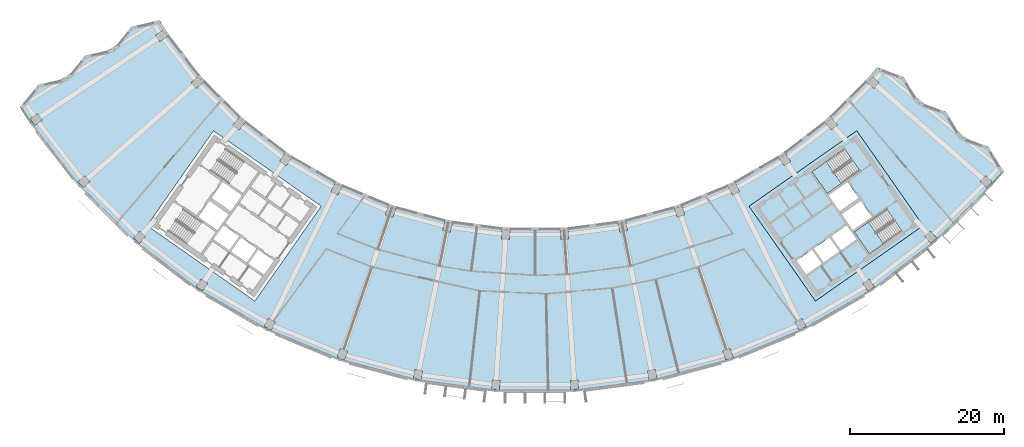
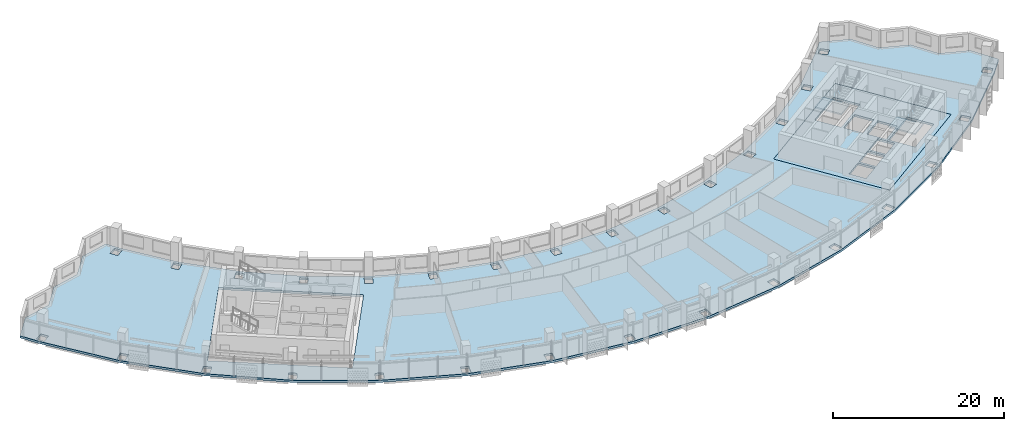
# One storey, part 2 of 27: 4 slabs, 2 elements without a shape of their own.
"""IFC4 building model written with IfcOpenShell, lengths in metres."""

from ifc_helpers import new_model, si_unit, direction, frame, origin, place, context, subcontext, project, spatial, polyline, outline, extrude, material, layer, layer_set, type_object, element, aggregate, save


model = new_model("IFC4")

# Units and contexts
model_context = context("Model", 3, precision=1e-05, world=origin(), true_north=direction((0.0, 1.0)))
body_context = subcontext(model_context, "Body", "Model", "MODEL_VIEW")
ifc_project = project(units=[si_unit("LENGTHUNIT", "METRE"), si_unit("AREAUNIT", "SQUARE_METRE"), si_unit("VOLUMEUNIT", "CUBIC_METRE"), si_unit("PLANEANGLEUNIT", "RADIAN"), si_unit("MASSUNIT", "GRAM", prefix="KILO")], contexts=[model_context])

# Site, building, storey
site_placement = place(None, origin())
site = spatial("IfcSite", under=ifc_project, at=site_placement, CompositionType="ELEMENT")
building_placement = place(site_placement, origin())
building = spatial("IfcBuilding", under=site, at=building_placement, Name="Qamariyya Broadcast Tower", CompositionType="ELEMENT")
storey_placement = place(building_placement, frame((0.0, 0.0, 222.699951171875)))
storey = spatial("IfcBuildingStorey", under=building, at=storey_placement, Name="L53", CompositionType="ELEMENT", Elevation=222.699951171875)

# Slabs
ifc_material_1 = material(Name="Concrete C40/50", Category="concrete")
ifc_layer_1 = layer(ifc_material_1, 0.300048828125)
ifc_layer_set_1 = layer_set([ifc_layer_1], Name="Core floor slab 300 mm Concrete C40/50")
slab_type_1 = type_object("IfcSlabType", Name="Core floor slab 300 mm Concrete C40/50", PredefinedType="FLOOR", material=ifc_layer_set_1)
slab_1_placement = place(storey_placement, frame((0.0, 0.0, -0.300048828125)))
element("IfcSlab", 1, at=slab_1_placement, inside=storey, type_object=slab_type_1, Name="k-E-L53-slab", PredefinedType="FLOOR", context=body_context, shape_type="SweptSolid", body=[
    extrude(outline(polyline([(36.32373046875, -66.734375), (50.286376953125, -56.95751953125), (41.6826171875, -44.67041015625), (27.719970703125, -54.447021484375), (36.32373046875, -66.734375)]), holes=[polyline([(33.87353515625, -61.49169921875), (35.88037109375, -60.08642578125), (37.142333984375, -61.888427734375), (35.13525390625, -63.293701171875), (33.87353515625, -61.49169921875)]), polyline([(36.126220703125, -59.914306640625), (38.133056640625, -58.509033203125), (39.394775390625, -60.311279296875), (37.387939453125, -61.716552734375), (36.126220703125, -59.914306640625)]), polyline([(38.378662109375, -58.3369140625), (40.3857421875, -56.931640625), (41.6474609375, -58.73388671875), (39.640625, -60.13916015625), (38.378662109375, -58.3369140625)]), polyline([(39.742431640625, -55.489990234375), (42.199951171875, -53.769287109375), (43.6337890625, -55.817138671875), (41.17626953125, -57.537841796875), (39.742431640625, -55.489990234375)]), polyline([(39.45556640625, -55.080322265625), (41.9130859375, -53.359619140625), (40.47900390625, -51.311767578125), (38.021728515625, -53.032470703125), (39.45556640625, -55.080322265625)]), polyline([(40.082275390625, -47.01171875), (35.870849609375, -49.960693359375), (37.849609375, -52.78662109375), (42.06103515625, -49.837890625), (40.082275390625, -47.01171875)]), polyline([(45.559814453125, -54.834716796875), (41.348388671875, -57.783447265625), (43.3271484375, -60.609619140625), (47.538818359375, -57.66064453125), (45.559814453125, -54.834716796875)])]), origin(), (0.0, 0.0, 1.0), 0.300048828125),
])
ifc_layer_2 = layer(ifc_material_1, 0.300048828125)
ifc_layer_set_2 = layer_set([ifc_layer_2], Name="Post-tensioned floor slab 300 C40/50")
slab_type_2 = type_object("IfcSlabType", Name="Post-tensioned floor slab 300 C40/50", PredefinedType="FLOOR", material=ifc_layer_set_2)
slab_2_placement = place(storey_placement, frame((0.0, 0.0, -0.300048828125)))
element("IfcSlab", 2, at=slab_2_placement, inside=storey, type_object=slab_type_2, Name="Floor slab S4 L53", PredefinedType="FLOOR", context=body_context, shape_type="SweptSolid", body=[
    extrude(outline(polyline([(-64.37158203125, -38.68212890625), (-66.758544921875, -41.582763671875), (-65.39501953125, -43.695556640625), (-59.132080078125, -51.857666015625), (-51.857666015625, -59.132080078125), (-43.695556640625, -65.39501953125), (-34.785888671875, -70.5390625), (-25.28125, -74.47607421875), (-15.34375, -77.138671875), (-5.14404296875, -78.481689453125), (5.14404296875, -78.481689453125), (15.34375, -77.138671875), (25.28125, -74.47607421875), (34.785888671875, -70.5390625), (43.695556640625, -65.39501953125), (51.857666015625, -59.132080078125), (59.132080078125, -51.857666015625), (60.759765625, -49.940673828125), (58.771728515625, -46.75341796875), (55.274658203125, -45.432373046875), (53.2861328125, -42.24462890625), (49.789794921875, -40.924072265625), (47.800048828125, -37.7353515625), (44.3046875, -36.415771484375), (43.117919921875, -37.8134765625), (37.8134765625, -43.117919921875), (31.862060546875, -47.684814453125), (25.365234375, -51.435546875), (18.4345703125, -54.306396484375), (11.1884765625, -56.248046875), (3.7509765625, -57.227294921875), (-3.7509765625, -57.227294921875), (-11.1884765625, -56.248046875), (-18.4345703125, -54.306396484375), (-25.365234375, -51.435546875), (-31.862060546875, -47.684814453125), (-37.8134765625, -43.117919921875), (-43.117919921875, -37.8134765625), (-47.684814453125, -31.862060546875), (-48.678955078125, -30.3212890625), (-52.316650390625, -31.17333984375), (-54.70556640625, -34.0751953125), (-58.34423828125, -34.927978515625), (-60.73193359375, -37.828857421875), (-64.37158203125, -38.68212890625)]), holes=[polyline([(-5.62158203125, -78.12451171875), (-5.54638671875, -76.97705078125), (-4.548583984375, -77.04248046875), (-4.623779296875, -78.18994140625), (-5.62158203125, -78.12451171875)]), polyline([(-15.770751953125, -76.722412109375), (-15.54638671875, -75.594482421875), (-14.565673828125, -75.78955078125), (-14.7900390625, -76.91748046875), (-15.770751953125, -76.722412109375)]), polyline([(-25.650146484375, -74.007568359375), (-25.280517578125, -72.918701171875), (-24.333740234375, -73.239990234375), (-24.703369140625, -74.3291015625), (-25.650146484375, -74.007568359375)]), polyline([(-35.090576171875, -70.0263671875), (-34.58203125, -68.9951171875), (-33.685302734375, -69.437255859375), (-34.19384765625, -70.46875), (-35.090576171875, -70.0263671875)]), polyline([(-43.9306640625, -64.84716796875), (-43.291748046875, -63.890869140625), (-42.46044921875, -64.446533203125), (-43.099365234375, -65.402587890625), (-43.9306640625, -64.84716796875)]), polyline([(-52.019287109375, -58.55810546875), (-51.260986328125, -57.693603515625), (-50.509033203125, -58.35302734375), (-51.267333984375, -59.217529296875), (-52.019287109375, -58.55810546875)]), polyline([(-11.966552734375, -57.59716796875), (-11.7421875, -56.46923828125), (-10.761474609375, -56.664306640625), (-10.98583984375, -57.792236328125), (-11.966552734375, -57.59716796875)]), polyline([(-50.286376953125, -56.95751953125), (-41.6826171875, -44.67041015625), (-27.719970703125, -54.447021484375), (-36.32373046875, -66.734375), (-50.286376953125, -56.95751953125)]), polyline([(-19.382080078125, -55.54248046875), (-19.012451171875, -54.453369140625), (-18.065673828125, -54.77490234375), (-18.435302734375, -55.86376953125), (-19.382080078125, -55.54248046875)]), polyline([(-26.466064453125, -52.537353515625), (-25.95751953125, -51.506103515625), (-25.060546875, -51.9482421875), (-25.569091796875, -52.979736328125), (-26.466064453125, -52.537353515625)]), polyline([(-59.217529296875, -51.267333984375), (-58.35302734375, -50.509033203125), (-57.693603515625, -51.260986328125), (-58.55810546875, -52.019287109375), (-59.217529296875, -51.267333984375)]), polyline([(-33.09716796875, -48.63330078125), (-32.458251953125, -47.67724609375), (-31.626708984375, -48.23291015625), (-32.265625, -49.18896484375), (-33.09716796875, -48.63330078125)]), polyline([(-39.161865234375, -43.897216796875), (-38.40380859375, -43.03271484375), (-37.65185546875, -43.692138671875), (-38.41015625, -44.556640625), (-39.161865234375, -43.897216796875)]), polyline([(-65.402587890625, -43.099365234375), (-64.446533203125, -42.46044921875), (-63.890869140625, -43.291748046875), (-64.84716796875, -43.9306640625), (-65.402587890625, -43.099365234375)]), polyline([(-44.556640625, -38.41015625), (-43.692138671875, -37.65185546875), (-43.03271484375, -38.40380859375), (-43.897216796875, -39.161865234375), (-44.556640625, -38.41015625)]), polyline([(-49.18896484375, -32.265625), (-48.23291015625, -31.626708984375), (-47.67724609375, -32.458251953125), (-48.63330078125, -33.09716796875), (-49.18896484375, -32.265625)]), polyline([(4.623779296875, -78.18994140625), (4.548583984375, -77.04248046875), (5.54638671875, -76.97705078125), (5.62158203125, -78.12451171875), (4.623779296875, -78.18994140625)]), polyline([(14.7900390625, -76.91748046875), (14.565673828125, -75.78955078125), (15.54638671875, -75.594482421875), (15.770751953125, -76.722412109375), (14.7900390625, -76.91748046875)]), polyline([(24.703369140625, -74.3291015625), (24.333740234375, -73.239990234375), (25.280517578125, -72.918701171875), (25.650146484375, -74.007568359375), (24.703369140625, -74.3291015625)]), polyline([(34.19384765625, -70.46875), (33.685302734375, -69.437255859375), (34.58203125, -68.9951171875), (35.090576171875, -70.0263671875), (34.19384765625, -70.46875)]), polyline([(43.099365234375, -65.402587890625), (42.46044921875, -64.446533203125), (43.291748046875, -63.890869140625), (43.9306640625, -64.84716796875), (43.099365234375, -65.402587890625)]), polyline([(51.267333984375, -59.217529296875), (50.509033203125, -58.35302734375), (51.260986328125, -57.693603515625), (52.019287109375, -58.55810546875), (51.267333984375, -59.217529296875)]), polyline([(-4.34619140625, -58.666259765625), (-4.27099609375, -57.518798828125), (-3.273193359375, -57.584228515625), (-3.348388671875, -58.731689453125), (-4.34619140625, -58.666259765625)]), polyline([(3.348388671875, -58.731689453125), (3.273193359375, -57.584228515625), (4.27099609375, -57.518798828125), (4.34619140625, -58.666259765625), (3.348388671875, -58.731689453125)]), polyline([(10.98583984375, -57.792236328125), (10.761474609375, -56.664306640625), (11.7421875, -56.46923828125), (11.966552734375, -57.59716796875), (10.98583984375, -57.792236328125)]), polyline([(36.32373046875, -66.734375), (27.719970703125, -54.447021484375), (41.6826171875, -44.67041015625), (50.286376953125, -56.95751953125), (36.32373046875, -66.734375)]), polyline([(18.435302734375, -55.86376953125), (18.065673828125, -54.77490234375), (19.012451171875, -54.453369140625), (19.382080078125, -55.54248046875), (18.435302734375, -55.86376953125)]), polyline([(25.569091796875, -52.979736328125), (25.060546875, -51.9482421875), (25.95751953125, -51.506103515625), (26.466064453125, -52.537353515625), (25.569091796875, -52.979736328125)]), polyline([(58.55810546875, -52.019287109375), (57.693603515625, -51.260986328125), (58.35302734375, -50.509033203125), (59.217529296875, -51.267333984375), (58.55810546875, -52.019287109375)]), polyline([(32.265625, -49.18896484375), (31.626708984375, -48.23291015625), (32.458251953125, -47.67724609375), (33.09716796875, -48.63330078125), (32.265625, -49.18896484375)]), polyline([(38.41015625, -44.556640625), (37.65185546875, -43.692138671875), (38.40380859375, -43.03271484375), (39.161865234375, -43.897216796875), (38.41015625, -44.556640625)]), polyline([(43.897216796875, -39.161865234375), (43.03271484375, -38.40380859375), (43.692138671875, -37.65185546875), (44.556640625, -38.41015625), (43.897216796875, -39.161865234375)])]), origin(), (0.0, 0.0, 1.0), 0.300048828125),
])

# Stair, slab
ifc_material_2 = material(Name="Concrete C50/60", Category="concrete")
stair_type = type_object("IfcStairType", Name="Exit stair 22 risers of 173 mm", PredefinedType="HALF_TURN_STAIR", material=ifc_material_2)
stair_1_placement = place(storey_placement, origin())
stair_1 = element("IfcStair", 3, at=stair_1_placement, inside=storey, type_object=stair_type, Name="L53 Stair E2", PredefinedType="HALF_TURN_STAIR")
ifc_layer_3 = layer(ifc_material_2, 0.199951171875)
ifc_layer_set_3 = layer_set([ifc_layer_3], Name="Stair landing")
slab_type_3 = type_object("IfcSlabType", Name="Stair landing", PredefinedType="LANDING", material=ifc_layer_set_3)
slab_3_placement = place(storey_placement, frame((0.0, 0.0, 1.699951171875)))
slab_3 = element("IfcSlab", 4, at=slab_3_placement, type_object=slab_type_3, Name="ST-E2 landing 1", PredefinedType="LANDING", context=body_context, shape_type="SweptSolid", body=[
    extrude(outline(polyline([(37.71337890625, -48.67041015625), (35.870849609375, -49.960693359375), (37.849609375, -52.78662109375), (39.692138671875, -51.49658203125), (37.71337890625, -48.67041015625)])), origin(), (0.0, 0.0, 1.0), 0.2001953125),
])
aggregate(stair_1, [slab_3])

stair_2_placement = place(storey_placement, origin())
stair_2 = element("IfcStair", 5, at=stair_2_placement, inside=storey, type_object=stair_type, Name="L53 Stair E1", PredefinedType="HALF_TURN_STAIR")
slab_4_placement = place(storey_placement, frame((0.0, 0.0, 1.699951171875)))
slab_4 = element("IfcSlab", 6, at=slab_4_placement, type_object=slab_type_3, Name="ST-E1 landing 1", PredefinedType="LANDING", context=body_context, shape_type="SweptSolid", body=[
    extrude(outline(polyline([(43.19091796875, -56.493408203125), (41.348388671875, -57.783447265625), (43.3271484375, -60.609619140625), (45.169677734375, -59.319580078125), (43.19091796875, -56.493408203125)])), origin(), (0.0, 0.0, 1.0), 0.2001953125),
])
aggregate(stair_2, [slab_4])

save(model, "model.ifc")
